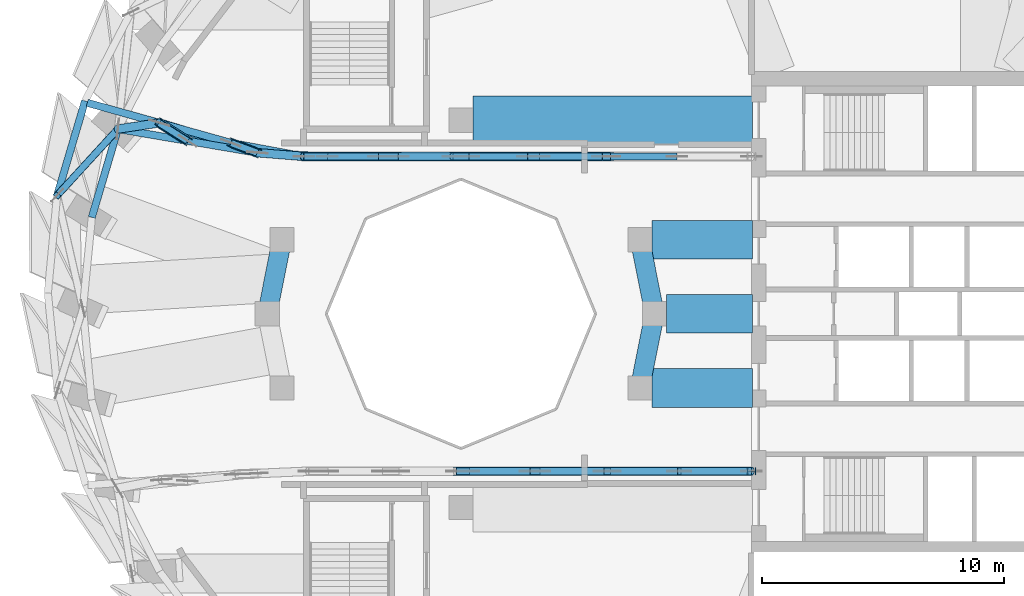
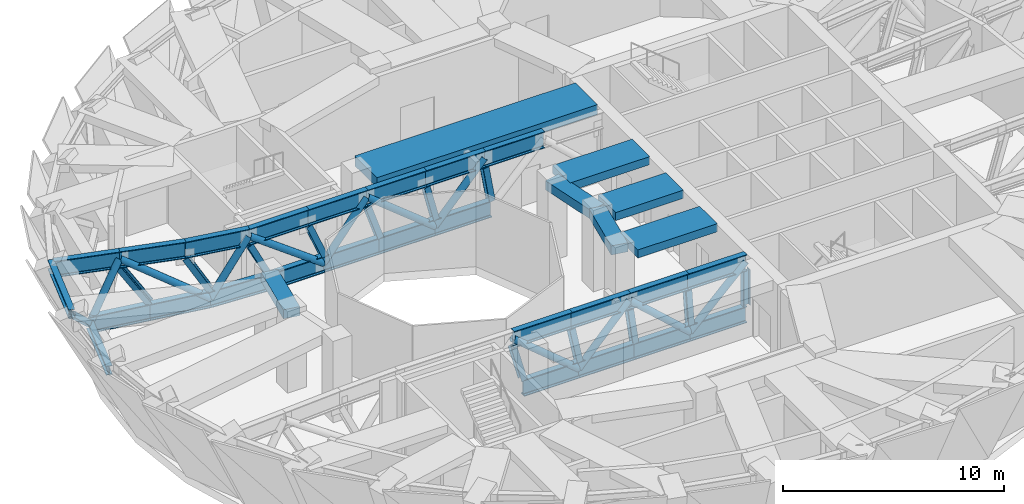
# One storey, part 3 of 16: 49 members, 7 beams.
"""IFC4 building model written with IfcOpenShell, lengths in metres."""

from ifc_helpers import new_model, si_unit, direction, frame, origin, origin_2d, place, context, subcontext, project, spatial, rectangle, hollow_rectangle, hollow_circle, i_section, extrude, material, material_profile, profile_set, type_object, element, save


model = new_model("IFC4")

# Units and contexts
model_context = context("Model", 3, precision=1e-05, world=origin(), true_north=direction((0.0, 1.0)))
body_context = subcontext(model_context, "Body", "Model", "MODEL_VIEW")
ifc_project = project(units=[si_unit("LENGTHUNIT", "METRE"), si_unit("AREAUNIT", "SQUARE_METRE"), si_unit("VOLUMEUNIT", "CUBIC_METRE"), si_unit("PLANEANGLEUNIT", "RADIAN"), si_unit("MASSUNIT", "GRAM", prefix="KILO")], contexts=[model_context])

# Site, building, storey
site_placement = place(None, origin())
site = spatial("IfcSite", under=ifc_project, at=site_placement, CompositionType="ELEMENT")
building_placement = place(site_placement, origin())
building = spatial("IfcBuilding", under=site, at=building_placement, Name="Taillehof Tower", CompositionType="ELEMENT")
storey_placement = place(building_placement, frame((0.0, 0.0, 184.699951171875)))
storey = spatial("IfcBuildingStorey", under=building, at=storey_placement, Name="L52", CompositionType="ELEMENT", Elevation=184.699951171875)

# Beams
ifc_material_1 = material(Name="Concrete C50/60", Category="concrete")
ifc_material_profile_1 = material_profile(ifc_material_1, rectangle(XDim=0.800048828125, YDim=0.5, at=origin_2d()), Name="RC 800x500")
ifc_profile_set_1 = profile_set([ifc_material_profile_1], Name="Concrete C50/60")
beam_type_1 = type_object("IfcBeamType", Name="Atrium ring beam C50/60 800x500", PredefinedType="BEAM", material=ifc_profile_set_1)
for number, where, z_axis, x_axis, name in (
    (1, (0.0, 0.0, 3.969970703125), (-0.195063155143, 0.980790683839, 0.0), (-0.980790683839, -0.195063155143, 0.0), "Atrium ring beam AB01"),
    (2, (-15.39111328125, 3.0615234375, 3.969970703125), (-0.195063155143, -0.980790683839, 0.0), (0.980790683839, -0.195063155143, 0.0), "Atrium ring beam AB04"),
    (3, (-0.60888671875, -3.0615234375, 3.969970703125), (0.195063155143, 0.980790683839, 0.0), (-0.980790683839, 0.195063155143, 0.0), "Atrium ring beam AB08"),
):
    element("IfcBeam", number, at=place(storey_placement, frame(where, z_axis=z_axis, x_axis=x_axis)), inside=storey, type_object=beam_type_1, Name=name, PredefinedType="BEAM", context=body_context, shape_type="SweptSolid", body=[
        extrude(rectangle(XDim=0.800048828125, YDim=0.5, at=origin_2d()), origin(), (0.0, 0.0, 1.0), 3.12158203125),
    ])

# Members
ifc_material_2 = material(Name="Steel S460M", Category="steel")
ifc_material_profile_2 = material_profile(ifc_material_2, i_section(OverallWidth=0.300048828125, OverallDepth=0.5, WebThickness=0.014404296875, FlangeThickness=0.028076171875, FilletRadius=0.027099609375, at=origin_2d()), Name="HEB 500")
ifc_profile_set_2 = profile_set([ifc_material_profile_2], Name="Steel S460M")
member_type_1 = type_object("IfcMemberType", Name="Belt truss chord HEB 500", PredefinedType="CHORD", material=ifc_profile_set_2)
member_1_placement = place(storey_placement, frame((-22.1669921875, 7.634033203125, 0.900146484375), z_axis=(-0.283155771957, -0.95907393292, 0.0), x_axis=(0.95907393292, -0.283155771957, 0.0)))
element("IfcMember", 4, at=member_1_placement, inside=storey, type_object=member_type_1, Name="Belt truss bottom chord BB17", PredefinedType="CHORD", context=body_context, shape_type="SweptSolid", body=[
    extrude(i_section(OverallWidth=0.300048828125, OverallDepth=0.5, WebThickness=0.014404296875, FlangeThickness=0.028076171875, FilletRadius=0.027099609375, at=origin_2d()), origin(), (0.0, 0.0, 1.0), 3.806640625),
])
member_2_placement = place(storey_placement, frame((-23.5234375, 8.794189453125, 3.969970703125), z_axis=(-0.283716927997, -0.958908079415, 0.0), x_axis=(0.958908079415, -0.283716927997, 0.0)))
element("IfcMember", 5, at=member_2_placement, inside=storey, type_object=member_type_1, Name="Belt truss top chord BT17", PredefinedType="CHORD", context=body_context, shape_type="SweptSolid", body=[
    extrude(i_section(OverallWidth=0.300048828125, OverallDepth=0.5, WebThickness=0.014404296875, FlangeThickness=0.028076171875, FilletRadius=0.027099609375, at=origin_2d()), origin(), (0.0, 0.0, 1.0), 4.07373046875),
])
ifc_material_3 = material(Name="Steel S460M", Category="steel")
ifc_material_profile_3 = material_profile(ifc_material_3, hollow_rectangle(XDim=0.300048828125, YDim=0.300048828125, WallThickness=0.012451171875, InnerFilletRadius=0.012451171875, OuterFilletRadius=0.018798828125, at=origin_2d()), Name="RHS 300x300x12.5")
ifc_profile_set_3 = profile_set([ifc_material_profile_3], Name="Steel S460M")
member_type_2 = type_object("IfcMemberType", Name="Belt truss diagonal RHS 300x300x12.5", PredefinedType="BRACE", material=ifc_profile_set_3)
member_3_placement = place(storey_placement, frame((-22.1669921875, 7.634033203125, 0.900146484375), z_axis=(-0.520715995525, -0.569194705313, 0.636295716981), x_axis=(0.737829044411, -0.674987630422, 0.0)))
element("IfcMember", 6, at=member_3_placement, inside=storey, type_object=member_type_2, Name="Belt truss diagonal BX17", PredefinedType="BRACE", context=body_context, shape_type="SweptSolid", body=[
    extrude(hollow_rectangle(XDim=0.300048828125, YDim=0.300048828125, WallThickness=0.012451171875, InnerFilletRadius=0.012451171875, OuterFilletRadius=0.018798828125, at=origin_2d()), origin(), (0.0, 0.0, 1.0), 4.824462890625),
])
ifc_material_4 = material(Name="Steel S460M", Category="steel")
ifc_material_profile_4 = material_profile(ifc_material_4, i_section(OverallWidth=0.302001953125, OverallDepth=0.909912109375, WebThickness=0.02099609375, FlangeThickness=0.0400390625, FilletRadius=0.030029296875, at=origin_2d()), Name="HEM 900")
ifc_profile_set_4 = profile_set([ifc_material_profile_4], Name="Steel S460M")
member_type_3 = type_object("IfcMemberType", Name="Outrigger chord HEM 900", PredefinedType="CHORD", material=ifc_profile_set_4)
member_4_placement = place(storey_placement, frame((0.918212890625, 6.5, 3.76513671875), z_axis=(-1.0, 0.0, 0.0), x_axis=(0.0, -1.0, 0.0)))
element("IfcMember", 7, at=member_4_placement, inside=storey, type_object=member_type_3, Name="Outrigger OT5 top chord 02", PredefinedType="CHORD", context=body_context, shape_type="SweptSolid", body=[
    extrude(i_section(OverallWidth=0.302001953125, OverallDepth=0.909912109375, WebThickness=0.02099609375, FlangeThickness=0.0400390625, FilletRadius=0.030029296875, at=origin_2d()), origin(), (0.0, 0.0, 1.0), 3.08203125),
])
member_5_placement = place(storey_placement, frame((-1.836181640625, 6.5, 0.900146484375), z_axis=(-1.0, 0.0, 0.0), x_axis=(0.0, -1.0, 0.0)))
element("IfcMember", 8, at=member_5_placement, inside=storey, type_object=member_type_3, Name="Outrigger OT5 bottom chord 03", PredefinedType="CHORD", context=body_context, shape_type="SweptSolid", body=[
    extrude(i_section(OverallWidth=0.302001953125, OverallDepth=0.909912109375, WebThickness=0.02099609375, FlangeThickness=0.0400390625, FilletRadius=0.030029296875, at=origin_2d()), origin(), (0.0, 0.0, 1.0), 2.91796875),
])
member_6_placement = place(storey_placement, frame((-2.163818359375, 6.5, 3.76513671875), z_axis=(-1.0, 0.0, 0.0), x_axis=(0.0, -1.0, 0.0)))
element("IfcMember", 9, at=member_6_placement, inside=storey, type_object=member_type_3, Name="Outrigger OT5 top chord 03", PredefinedType="CHORD", context=body_context, shape_type="SweptSolid", body=[
    extrude(i_section(OverallWidth=0.302001953125, OverallDepth=0.909912109375, WebThickness=0.02099609375, FlangeThickness=0.0400390625, FilletRadius=0.030029296875, at=origin_2d()), origin(), (0.0, 0.0, 1.0), 3.081787109375),
])
member_7_placement = place(storey_placement, frame((-4.754150390625, 6.5, 0.900146484375), z_axis=(-1.0, 0.0, 0.0), x_axis=(0.0, -1.0, 0.0)))
element("IfcMember", 10, at=member_7_placement, inside=storey, type_object=member_type_3, Name="Outrigger OT5 bottom chord 04", PredefinedType="CHORD", context=body_context, shape_type="SweptSolid", body=[
    extrude(i_section(OverallWidth=0.302001953125, OverallDepth=0.909912109375, WebThickness=0.02099609375, FlangeThickness=0.0400390625, FilletRadius=0.030029296875, at=origin_2d()), origin(), (0.0, 0.0, 1.0), 2.918212890625),
])
member_8_placement = place(storey_placement, frame((-5.24560546875, 6.5, 3.76513671875), z_axis=(-1.0, 0.0, 0.0), x_axis=(0.0, -1.0, 0.0)))
element("IfcMember", 11, at=member_8_placement, inside=storey, type_object=member_type_3, Name="Outrigger OT5 top chord 04", PredefinedType="CHORD", context=body_context, shape_type="SweptSolid", body=[
    extrude(i_section(OverallWidth=0.302001953125, OverallDepth=0.909912109375, WebThickness=0.02099609375, FlangeThickness=0.0400390625, FilletRadius=0.030029296875, at=origin_2d()), origin(), (0.0, 0.0, 1.0), 3.081787109375),
])
member_9_placement = place(storey_placement, frame((-7.67236328125, 6.5, 0.900146484375), z_axis=(-1.0, 0.0, 0.0), x_axis=(0.0, -1.0, 0.0)))
element("IfcMember", 12, at=member_9_placement, inside=storey, type_object=member_type_3, Name="Outrigger OT5 bottom chord 05", PredefinedType="CHORD", context=body_context, shape_type="SweptSolid", body=[
    extrude(i_section(OverallWidth=0.302001953125, OverallDepth=0.909912109375, WebThickness=0.02099609375, FlangeThickness=0.0400390625, FilletRadius=0.030029296875, at=origin_2d()), origin(), (0.0, 0.0, 1.0), 2.91796875),
])
member_10_placement = place(storey_placement, frame((-8.327392578125, 6.5, 3.76513671875), z_axis=(-1.0, 0.0, 0.0), x_axis=(0.0, -1.0, 0.0)))
element("IfcMember", 13, at=member_10_placement, inside=storey, type_object=member_type_3, Name="Outrigger OT5 top chord 05", PredefinedType="CHORD", context=body_context, shape_type="SweptSolid", body=[
    extrude(i_section(OverallWidth=0.302001953125, OverallDepth=0.909912109375, WebThickness=0.02099609375, FlangeThickness=0.0400390625, FilletRadius=0.030029296875, at=origin_2d()), origin(), (0.0, 0.0, 1.0), 3.081787109375),
])
member_11_placement = place(storey_placement, frame((-10.59033203125, 6.5, 0.900146484375), z_axis=(-1.0, 0.0, 0.0), x_axis=(0.0, -1.0, 0.0)))
element("IfcMember", 14, at=member_11_placement, inside=storey, type_object=member_type_3, Name="Outrigger OT5 bottom chord 06", PredefinedType="CHORD", context=body_context, shape_type="SweptSolid", body=[
    extrude(i_section(OverallWidth=0.302001953125, OverallDepth=0.909912109375, WebThickness=0.02099609375, FlangeThickness=0.0400390625, FilletRadius=0.030029296875, at=origin_2d()), origin(), (0.0, 0.0, 1.0), 2.918212890625),
])
member_12_placement = place(storey_placement, frame((-11.4091796875, 6.5, 3.76513671875), z_axis=(-1.0, 0.0, 0.0), x_axis=(0.0, -1.0, 0.0)))
element("IfcMember", 15, at=member_12_placement, inside=storey, type_object=member_type_3, Name="Outrigger OT5 top chord 06", PredefinedType="CHORD", context=body_context, shape_type="SweptSolid", body=[
    extrude(i_section(OverallWidth=0.302001953125, OverallDepth=0.909912109375, WebThickness=0.02099609375, FlangeThickness=0.0400390625, FilletRadius=0.030029296875, at=origin_2d()), origin(), (0.0, 0.0, 1.0), 3.08203125),
])
member_13_placement = place(storey_placement, frame((-13.508544921875, 6.5, 0.900146484375), z_axis=(-0.998574370024, 0.053378155937, 0.0), x_axis=(-0.053378155937, -0.998574370024, 0.0)))
element("IfcMember", 16, at=member_13_placement, inside=storey, type_object=member_type_3, Name="Outrigger OT5 bottom chord 07", PredefinedType="CHORD", context=body_context, shape_type="SweptSolid", body=[
    extrude(i_section(OverallWidth=0.302001953125, OverallDepth=0.909912109375, WebThickness=0.02099609375, FlangeThickness=0.0400390625, FilletRadius=0.030029296875, at=origin_2d()), origin(), (0.0, 0.0, 1.0), 2.908935546875),
])
member_14_placement = place(storey_placement, frame((-14.4912109375, 6.5, 3.76513671875), z_axis=(-0.983205119029, 0.182503955888, 0.0), x_axis=(-0.182503955888, -0.983205119029, 0.0)))
element("IfcMember", 17, at=member_14_placement, inside=storey, type_object=member_type_3, Name="Outrigger OT5 top chord 07", PredefinedType="CHORD", context=body_context, shape_type="SweptSolid", body=[
    extrude(i_section(OverallWidth=0.302001953125, OverallDepth=0.909912109375, WebThickness=0.02099609375, FlangeThickness=0.0400390625, FilletRadius=0.030029296875, at=origin_2d()), origin(), (0.0, 0.0, 1.0), 3.056640625),
])
member_15_placement = place(storey_placement, frame((-16.413330078125, 6.6552734375, 0.900146484375), z_axis=(-0.985829708049, 0.167749178022, 0.0), x_axis=(-0.167749178022, -0.985829708049, 0.0)))
element("IfcMember", 18, at=member_15_placement, inside=storey, type_object=member_type_3, Name="Outrigger OT5 bottom chord 08", PredefinedType="CHORD", context=body_context, shape_type="SweptSolid", body=[
    extrude(i_section(OverallWidth=0.302001953125, OverallDepth=0.909912109375, WebThickness=0.02099609375, FlangeThickness=0.0400390625, FilletRadius=0.030029296875, at=origin_2d()), origin(), (0.0, 0.0, 1.0), 2.91796875),
])
member_16_placement = place(storey_placement, frame((-17.49658203125, 7.057861328125, 3.76513671875), z_axis=(-0.963107048536, 0.269118585496, 0.0), x_axis=(-0.269118585496, -0.963107048536, 0.0)))
element("IfcMember", 19, at=member_16_placement, inside=storey, type_object=member_type_3, Name="Outrigger OT5 top chord 08", PredefinedType="CHORD", context=body_context, shape_type="SweptSolid", body=[
    extrude(i_section(OverallWidth=0.302001953125, OverallDepth=0.909912109375, WebThickness=0.02099609375, FlangeThickness=0.0400390625, FilletRadius=0.030029296875, at=origin_2d()), origin(), (0.0, 0.0, 1.0), 3.081787109375),
])
member_17_placement = place(storey_placement, frame((-19.2900390625, 7.144775390625, 0.900146484375), z_axis=(-0.985845892607, 0.167654036726, 0.0), x_axis=(-0.167654036726, -0.985845892607, 0.0)))
element("IfcMember", 20, at=member_17_placement, inside=storey, type_object=member_type_3, Name="Outrigger OT5 bottom chord 09", PredefinedType="CHORD", context=body_context, shape_type="SweptSolid", body=[
    extrude(i_section(OverallWidth=0.302001953125, OverallDepth=0.909912109375, WebThickness=0.02099609375, FlangeThickness=0.0400390625, FilletRadius=0.030029296875, at=origin_2d()), origin(), (0.0, 0.0, 1.0), 2.918212890625),
])
member_18_placement = place(storey_placement, frame((-20.464599609375, 7.88720703125, 3.76513671875), z_axis=(-0.963112785549, 0.26909805334, 0.0), x_axis=(-0.26909805334, -0.963112785549, 0.0)))
element("IfcMember", 21, at=member_18_placement, inside=storey, type_object=member_type_3, Name="Outrigger OT5 top chord 09", PredefinedType="CHORD", context=body_context, shape_type="SweptSolid", body=[
    extrude(i_section(OverallWidth=0.302001953125, OverallDepth=0.909912109375, WebThickness=0.02099609375, FlangeThickness=0.0400390625, FilletRadius=0.030029296875, at=origin_2d()), origin(), (0.0, 0.0, 1.0), 3.08203125),
])
member_19_placement = place(storey_placement, frame((4.0, -6.5, 0.900146484375), z_axis=(-1.0, 0.0, 0.0), x_axis=(0.0, -1.0, 0.0)))
element("IfcMember", 22, at=member_19_placement, inside=storey, type_object=member_type_3, Name="Outrigger OT6 bottom chord 01", PredefinedType="CHORD", context=body_context, shape_type="SweptSolid", body=[
    extrude(i_section(OverallWidth=0.302001953125, OverallDepth=0.909912109375, WebThickness=0.02099609375, FlangeThickness=0.0400390625, FilletRadius=0.030029296875, at=origin_2d()), origin(), (0.0, 0.0, 1.0), 2.914306640625),
])
member_20_placement = place(storey_placement, frame((4.0, -6.5, 3.76513671875), z_axis=(-1.0, 0.0, 0.0), x_axis=(0.0, -1.0, 0.0)))
element("IfcMember", 23, at=member_20_placement, inside=storey, type_object=member_type_3, Name="Outrigger OT6 top chord 01", PredefinedType="CHORD", context=body_context, shape_type="SweptSolid", body=[
    extrude(i_section(OverallWidth=0.302001953125, OverallDepth=0.909912109375, WebThickness=0.02099609375, FlangeThickness=0.0400390625, FilletRadius=0.030029296875, at=origin_2d()), origin(), (0.0, 0.0, 1.0), 3.047119140625),
])
member_21_placement = place(storey_placement, frame((1.085693359375, -6.5, 0.900146484375), z_axis=(-1.0, 0.0, 0.0), x_axis=(0.0, -1.0, 0.0)))
element("IfcMember", 24, at=member_21_placement, inside=storey, type_object=member_type_3, Name="Outrigger OT6 bottom chord 02", PredefinedType="CHORD", context=body_context, shape_type="SweptSolid", body=[
    extrude(i_section(OverallWidth=0.302001953125, OverallDepth=0.909912109375, WebThickness=0.02099609375, FlangeThickness=0.0400390625, FilletRadius=0.030029296875, at=origin_2d()), origin(), (0.0, 0.0, 1.0), 2.91455078125),
])
member_22_placement = place(storey_placement, frame((0.952880859375, -6.5, 3.76513671875), z_axis=(-1.0, 0.0, 0.0), x_axis=(0.0, -1.0, 0.0)))
element("IfcMember", 25, at=member_22_placement, inside=storey, type_object=member_type_3, Name="Outrigger OT6 top chord 02", PredefinedType="CHORD", context=body_context, shape_type="SweptSolid", body=[
    extrude(i_section(OverallWidth=0.302001953125, OverallDepth=0.909912109375, WebThickness=0.02099609375, FlangeThickness=0.0400390625, FilletRadius=0.030029296875, at=origin_2d()), origin(), (0.0, 0.0, 1.0), 3.04736328125),
])
member_23_placement = place(storey_placement, frame((-1.828857421875, -6.5, 0.900146484375), z_axis=(-1.0, 0.0, 0.0), x_axis=(0.0, -1.0, 0.0)))
element("IfcMember", 26, at=member_23_placement, inside=storey, type_object=member_type_3, Name="Outrigger OT6 bottom chord 03", PredefinedType="CHORD", context=body_context, shape_type="SweptSolid", body=[
    extrude(i_section(OverallWidth=0.302001953125, OverallDepth=0.909912109375, WebThickness=0.02099609375, FlangeThickness=0.0400390625, FilletRadius=0.030029296875, at=origin_2d()), origin(), (0.0, 0.0, 1.0), 2.914306640625),
])
member_24_placement = place(storey_placement, frame((-2.094482421875, -6.5, 3.76513671875), z_axis=(-1.0, 0.0, 0.0), x_axis=(0.0, -1.0, 0.0)))
element("IfcMember", 27, at=member_24_placement, inside=storey, type_object=member_type_3, Name="Outrigger OT6 top chord 03", PredefinedType="CHORD", context=body_context, shape_type="SweptSolid", body=[
    extrude(i_section(OverallWidth=0.302001953125, OverallDepth=0.909912109375, WebThickness=0.02099609375, FlangeThickness=0.0400390625, FilletRadius=0.030029296875, at=origin_2d()), origin(), (0.0, 0.0, 1.0), 3.047119140625),
])
member_25_placement = place(storey_placement, frame((-4.7431640625, -6.5, 0.900146484375), z_axis=(-1.0, 0.0, 0.0), x_axis=(0.0, -1.0, 0.0)))
element("IfcMember", 28, at=member_25_placement, inside=storey, type_object=member_type_3, Name="Outrigger OT6 bottom chord 04", PredefinedType="CHORD", context=body_context, shape_type="SweptSolid", body=[
    extrude(i_section(OverallWidth=0.302001953125, OverallDepth=0.909912109375, WebThickness=0.02099609375, FlangeThickness=0.0400390625, FilletRadius=0.030029296875, at=origin_2d()), origin(), (0.0, 0.0, 1.0), 2.91455078125),
])
member_26_placement = place(storey_placement, frame((-5.1416015625, -6.5, 3.76513671875), z_axis=(-1.0, 0.0, 0.0), x_axis=(0.0, -1.0, 0.0)))
element("IfcMember", 29, at=member_26_placement, inside=storey, type_object=member_type_3, Name="Outrigger OT6 top chord 04", PredefinedType="CHORD", context=body_context, shape_type="SweptSolid", body=[
    extrude(i_section(OverallWidth=0.302001953125, OverallDepth=0.909912109375, WebThickness=0.02099609375, FlangeThickness=0.0400390625, FilletRadius=0.030029296875, at=origin_2d()), origin(), (0.0, 0.0, 1.0), 3.04736328125),
])
ifc_material_5 = material(Name="Steel S460M", Category="steel")
ifc_material_profile_5 = material_profile(ifc_material_5, hollow_circle(Radius=0.177734375, WallThickness=0.01611328125, at=origin_2d()), Name="CHS 355.6x16")
ifc_profile_set_5 = profile_set([ifc_material_profile_5], Name="Steel S460M")
member_type_4 = type_object("IfcMemberType", Name="Outrigger diagonal CHS 355.6x16", PredefinedType="BRACE", material=ifc_profile_set_5)
member_27_placement = place(storey_placement, frame((-2.163818359375, 6.5, 3.76513671875), z_axis=(-0.670656740012, 0.0, -0.741767845809), x_axis=(0.0, -1.0, 0.0)))
element("IfcMember", 30, at=member_27_placement, inside=storey, type_object=member_type_4, Name="Outrigger OT5 diagonal 03", PredefinedType="BRACE", context=body_context, shape_type="SweptSolid", body=[
    extrude(hollow_circle(Radius=0.177734375, WallThickness=0.01611328125, at=origin_2d()), origin(), (0.0, 0.0, 1.0), 3.8623046875),
])
member_28_placement = place(storey_placement, frame((-4.754150390625, 6.5, 0.900146484375), z_axis=(-0.780187068, 0.0, 0.625546272409), x_axis=(0.0, -1.0, 0.0)))
element("IfcMember", 31, at=member_28_placement, inside=storey, type_object=member_type_4, Name="Outrigger OT5 diagonal 04", PredefinedType="BRACE", context=body_context, shape_type="SweptSolid", body=[
    extrude(hollow_circle(Radius=0.177734375, WallThickness=0.01611328125, at=origin_2d()), origin(), (0.0, 0.0, 1.0), 4.580078125),
])
member_29_placement = place(storey_placement, frame((-8.327392578125, 6.5, 3.76513671875), z_axis=(-0.619830734949, 0.0, -0.784735535077), x_axis=(0.0, -1.0, 0.0)))
element("IfcMember", 32, at=member_29_placement, inside=storey, type_object=member_type_4, Name="Outrigger OT5 diagonal 05", PredefinedType="BRACE", context=body_context, shape_type="SweptSolid", body=[
    extrude(hollow_circle(Radius=0.177734375, WallThickness=0.01611328125, at=origin_2d()), origin(), (0.0, 0.0, 1.0), 3.65087890625),
])
member_30_placement = place(storey_placement, frame((-10.59033203125, 6.5, 0.900146484375), z_axis=(-0.805976603006, 0.0, 0.591947392432), x_axis=(0.0, -1.0, 0.0)))
element("IfcMember", 33, at=member_30_placement, inside=storey, type_object=member_type_4, Name="Outrigger OT5 diagonal 06", PredefinedType="BRACE", context=body_context, shape_type="SweptSolid", body=[
    extrude(hollow_circle(Radius=0.177734375, WallThickness=0.01611328125, at=origin_2d()), origin(), (0.0, 0.0, 1.0), 4.83984375),
])
member_31_placement = place(storey_placement, frame((-14.4912109375, 6.5, 3.76513671875), z_axis=(-0.55656764404, 0.044960881698, -0.829584821899), x_axis=(-0.080520119091, -0.996752983653, 0.0)))
element("IfcMember", 34, at=member_31_placement, inside=storey, type_object=member_type_4, Name="Outrigger OT5 diagonal 07", PredefinedType="BRACE", context=body_context, shape_type="SweptSolid", body=[
    extrude(hollow_circle(Radius=0.177734375, WallThickness=0.01611328125, at=origin_2d()), origin(), (0.0, 0.0, 1.0), 3.45361328125),
])
member_32_placement = place(storey_placement, frame((-16.413330078125, 6.6552734375, 0.900146484375), z_axis=(-0.792409836774, 0.240960590356, 0.560379018593), x_axis=(-0.290932180417, -0.956743678525, 0.0)))
element("IfcMember", 35, at=member_32_placement, inside=storey, type_object=member_type_4, Name="Outrigger OT5 diagonal 08", PredefinedType="BRACE", context=body_context, shape_type="SweptSolid", body=[
    extrude(hollow_circle(Radius=0.177734375, WallThickness=0.01611328125, at=origin_2d()), origin(), (0.0, 0.0, 1.0), 5.112548828125),
])
member_33_placement = place(storey_placement, frame((-20.464599609375, 7.88720703125, 3.76513671875), z_axis=(-0.509360458726, -0.075750293374, -0.857212818465), x_axis=(0.14709871277, -0.989121816917, 0.0)))
element("IfcMember", 36, at=member_33_placement, inside=storey, type_object=member_type_4, Name="Outrigger OT5 diagonal 09", PredefinedType="BRACE", context=body_context, shape_type="SweptSolid", body=[
    extrude(hollow_circle(Radius=0.177734375, WallThickness=0.01611328125, at=origin_2d()), origin(), (0.0, 0.0, 1.0), 3.34228515625),
])
member_34_placement = place(storey_placement, frame((4.0, -6.5, 3.76513671875), z_axis=(-0.713114764221, 0.0, -0.701047311563), x_axis=(0.0, -1.0, 0.0)))
element("IfcMember", 37, at=member_34_placement, inside=storey, type_object=member_type_4, Name="Outrigger OT6 diagonal 01", PredefinedType="BRACE", context=body_context, shape_type="SweptSolid", body=[
    extrude(hollow_circle(Radius=0.177734375, WallThickness=0.01611328125, at=origin_2d()), origin(), (0.0, 0.0, 1.0), 4.086669921875),
])
member_35_placement = place(storey_placement, frame((1.085693359375, -6.5, 0.900146484375), z_axis=(-0.742965068978, 0.0, 0.669330192266), x_axis=(0.0, -1.0, 0.0)))
element("IfcMember", 38, at=member_35_placement, inside=storey, type_object=member_type_4, Name="Outrigger OT6 diagonal 02", PredefinedType="BRACE", context=body_context, shape_type="SweptSolid", body=[
    extrude(hollow_circle(Radius=0.177734375, WallThickness=0.01611328125, at=origin_2d()), origin(), (0.0, 0.0, 1.0), 4.2802734375),
])
member_36_placement = place(storey_placement, frame((-2.094482421875, -6.5, 3.76513671875), z_axis=(-0.678843850798, 0.0, -0.734282660993), x_axis=(0.0, -1.0, 0.0)))
element("IfcMember", 39, at=member_36_placement, inside=storey, type_object=member_type_4, Name="Outrigger OT6 diagonal 03", PredefinedType="BRACE", context=body_context, shape_type="SweptSolid", body=[
    extrude(hollow_circle(Radius=0.177734375, WallThickness=0.01611328125, at=origin_2d()), origin(), (0.0, 0.0, 1.0), 3.90185546875),
])
member_37_placement = place(storey_placement, frame((-4.7431640625, -6.5, 0.900146484375), z_axis=(-0.768935297193, 0.0, 0.63932660568), x_axis=(0.0, -1.0, 0.0)))
element("IfcMember", 40, at=member_37_placement, inside=storey, type_object=member_type_4, Name="Outrigger OT6 diagonal 04", PredefinedType="BRACE", context=body_context, shape_type="SweptSolid", body=[
    extrude(hollow_circle(Radius=0.177734375, WallThickness=0.01611328125, at=origin_2d()), origin(), (0.0, 0.0, 1.0), 4.481201171875),
])
ifc_material_6 = material(Name="Steel S460M", Category="steel")
ifc_material_profile_6 = material_profile(ifc_material_6, i_section(OverallWidth=0.300048828125, OverallDepth=0.360107421875, WebThickness=0.012451171875, FlangeThickness=0.0224609375, FilletRadius=0.027099609375, at=origin_2d()), Name="HEB 360")
ifc_profile_set_6 = profile_set([ifc_material_profile_6], Name="Steel S460M")
member_type_5 = type_object("IfcMemberType", Name="Outrigger post HEB 360", PredefinedType="POST", material=ifc_profile_set_6)
member_38_placement = place(storey_placement, frame((-1.836181640625, 6.5, 1.35498046875), z_axis=(-0.16527766909, 0.0, 0.986247074571), x_axis=(0.986247074571, 0.0, 0.16527766909)))
element("IfcMember", 41, at=member_38_placement, inside=storey, type_object=member_type_5, Name="Outrigger OT5 post 03", PredefinedType="POST", context=body_context, shape_type="SweptSolid", body=[
    extrude(i_section(OverallWidth=0.300048828125, OverallDepth=0.360107421875, WebThickness=0.012451171875, FlangeThickness=0.0224609375, FilletRadius=0.027099609375, at=origin_2d()), origin(), (0.0, 0.0, 1.0), 1.982421875),
])
member_39_placement = place(storey_placement, frame((-4.754150390625, 6.5, 1.35498046875), z_axis=(-0.243789240497, 0.0, 0.96982823542), x_axis=(0.96982823542, 0.0, 0.243789240497)))
element("IfcMember", 42, at=member_39_placement, inside=storey, type_object=member_type_5, Name="Outrigger OT5 post 04", PredefinedType="POST", context=body_context, shape_type="SweptSolid", body=[
    extrude(i_section(OverallWidth=0.300048828125, OverallDepth=0.360107421875, WebThickness=0.012451171875, FlangeThickness=0.0224609375, FilletRadius=0.027099609375, at=origin_2d()), origin(), (0.0, 0.0, 1.0), 2.015869140625),
])
member_40_placement = place(storey_placement, frame((-7.67236328125, 6.5, 1.35498046875), z_axis=(-0.317683789432, 0.0, 0.948196714787), x_axis=(0.948196714787, 0.0, 0.317683789432)))
element("IfcMember", 43, at=member_40_placement, inside=storey, type_object=member_type_5, Name="Outrigger OT5 post 05", PredefinedType="POST", context=body_context, shape_type="SweptSolid", body=[
    extrude(i_section(OverallWidth=0.300048828125, OverallDepth=0.360107421875, WebThickness=0.012451171875, FlangeThickness=0.0224609375, FilletRadius=0.027099609375, at=origin_2d()), origin(), (0.0, 0.0, 1.0), 2.06201171875),
])
member_41_placement = place(storey_placement, frame((-10.59033203125, 6.5, 1.35498046875), z_axis=(-0.386315860918, 0.0, 0.92236655165), x_axis=(0.92236655165, 0.0, 0.386315860918)))
element("IfcMember", 44, at=member_41_placement, inside=storey, type_object=member_type_5, Name="Outrigger OT5 post 06", PredefinedType="POST", context=body_context, shape_type="SweptSolid", body=[
    extrude(i_section(OverallWidth=0.300048828125, OverallDepth=0.360107421875, WebThickness=0.012451171875, FlangeThickness=0.0224609375, FilletRadius=0.027099609375, at=origin_2d()), origin(), (0.0, 0.0, 1.0), 2.11962890625),
])
member_42_placement = place(storey_placement, frame((-13.508544921875, 6.5, 1.35498046875), z_axis=(-0.449087063781, 0.0, 0.893488001679), x_axis=(0.893170164615, -0.026670691751, 0.44892731176)))
element("IfcMember", 45, at=member_42_placement, inside=storey, type_object=member_type_5, Name="Outrigger OT5 post 07", PredefinedType="POST", context=body_context, shape_type="SweptSolid", body=[
    extrude(i_section(OverallWidth=0.300048828125, OverallDepth=0.360107421875, WebThickness=0.012451171875, FlangeThickness=0.0224609375, FilletRadius=0.027099609375, at=origin_2d()), origin(), (0.0, 0.0, 1.0), 2.188232421875),
])
member_43_placement = place(storey_placement, frame((-16.413330078125, 6.6552734375, 1.35498046875), z_axis=(-0.476974819013, 0.177266503618, 0.860855161292), x_axis=(0.763355584101, -0.401919759838, 0.505716085243)))
element("IfcMember", 46, at=member_43_placement, inside=storey, type_object=member_type_5, Name="Outrigger OT5 post 08", PredefinedType="POST", context=body_context, shape_type="SweptSolid", body=[
    extrude(i_section(OverallWidth=0.300048828125, OverallDepth=0.360107421875, WebThickness=0.012451171875, FlangeThickness=0.0224609375, FilletRadius=0.027099609375, at=origin_2d()), origin(), (0.0, 0.0, 1.0), 2.27099609375),
])
member_44_placement = place(storey_placement, frame((-19.2900390625, 7.144775390625, 1.35498046875), z_axis=(-0.489692443199, 0.309531224229, 0.815102283337), x_axis=(0.589650694347, -0.571086939586, 0.571114494729)))
element("IfcMember", 47, at=member_44_placement, inside=storey, type_object=member_type_5, Name="Outrigger OT5 post 09", PredefinedType="POST", context=body_context, shape_type="SweptSolid", body=[
    extrude(i_section(OverallWidth=0.300048828125, OverallDepth=0.360107421875, WebThickness=0.012451171875, FlangeThickness=0.0224609375, FilletRadius=0.027099609375, at=origin_2d()), origin(), (0.0, 0.0, 1.0), 2.398681640625),
])
member_45_placement = place(storey_placement, frame((4.0, -6.5, 1.35498046875), z_axis=(0.0, 0.0, 1.0), x_axis=(0.0, 1.0, 0.0)))
element("IfcMember", 48, at=member_45_placement, inside=storey, type_object=member_type_5, Name="Outrigger OT6 post 01", PredefinedType="POST", context=body_context, shape_type="SweptSolid", body=[
    extrude(i_section(OverallWidth=0.300048828125, OverallDepth=0.360107421875, WebThickness=0.012451171875, FlangeThickness=0.0224609375, FilletRadius=0.027099609375, at=origin_2d()), origin(), (0.0, 0.0, 1.0), 1.955078125),
])
member_46_placement = place(storey_placement, frame((1.085693359375, -6.5, 1.35498046875), z_axis=(-0.067775863068, 0.0, 0.997700572509), x_axis=(0.997700572509, 0.0, 0.067775863068)))
element("IfcMember", 49, at=member_46_placement, inside=storey, type_object=member_type_5, Name="Outrigger OT6 post 02", PredefinedType="POST", context=body_context, shape_type="SweptSolid", body=[
    extrude(i_section(OverallWidth=0.300048828125, OverallDepth=0.360107421875, WebThickness=0.012451171875, FlangeThickness=0.0224609375, FilletRadius=0.027099609375, at=origin_2d()), origin(), (0.0, 0.0, 1.0), 1.95947265625),
])
member_47_placement = place(storey_placement, frame((-1.828857421875, -6.5, 1.35498046875), z_axis=(-0.13462727094, 0.0, 0.990896310377), x_axis=(0.990896310377, 0.0, 0.13462727094)))
element("IfcMember", 50, at=member_47_placement, inside=storey, type_object=member_type_5, Name="Outrigger OT6 post 03", PredefinedType="POST", context=body_context, shape_type="SweptSolid", body=[
    extrude(i_section(OverallWidth=0.300048828125, OverallDepth=0.360107421875, WebThickness=0.012451171875, FlangeThickness=0.0224609375, FilletRadius=0.027099609375, at=origin_2d()), origin(), (0.0, 0.0, 1.0), 1.97314453125),
])
member_48_placement = place(storey_placement, frame((-4.7431640625, -6.5, 1.35498046875), z_axis=(-0.199691507232, 0.0, 0.97985881735), x_axis=(0.97985881735, 0.0, 0.199691507232)))
element("IfcMember", 51, at=member_48_placement, inside=storey, type_object=member_type_5, Name="Outrigger OT6 post 04", PredefinedType="POST", context=body_context, shape_type="SweptSolid", body=[
    extrude(i_section(OverallWidth=0.300048828125, OverallDepth=0.360107421875, WebThickness=0.012451171875, FlangeThickness=0.0224609375, FilletRadius=0.027099609375, at=origin_2d()), origin(), (0.0, 0.0, 1.0), 1.995361328125),
])
member_49_placement = place(storey_placement, frame((-7.65771484375, -6.5, 1.35498046875), z_axis=(-0.262219989423, 0.0, 0.96500812284), x_axis=(0.96500812284, 0.0, 0.262219989423)))
element("IfcMember", 52, at=member_49_placement, inside=storey, type_object=member_type_5, Name="Outrigger OT6 post 05", PredefinedType="POST", context=body_context, shape_type="SweptSolid", body=[
    extrude(i_section(OverallWidth=0.300048828125, OverallDepth=0.360107421875, WebThickness=0.012451171875, FlangeThickness=0.0224609375, FilletRadius=0.027099609375, at=origin_2d()), origin(), (0.0, 0.0, 1.0), 2.02587890625),
])

# Beams
ifc_material_7 = material(Name="Concrete C50/60", Category="concrete")
ifc_material_profile_7 = material_profile(ifc_material_7, rectangle(XDim=1.60009765625, YDim=0.449951171875, at=origin_2d()), Name="RC 1600x450")
ifc_profile_set_7 = profile_set([ifc_material_profile_7], Name="Concrete C50/60")
beam_type_2 = type_object("IfcBeamType", Name="Radial band beam C50/60 1600x450", PredefinedType="BEAM", material=ifc_profile_set_7)
beam_1_placement = place(storey_placement, frame((0.5, 0.0, 3.9951171875), z_axis=(1.0, 0.0, 0.0), x_axis=(0.0, 1.0, 0.0)))
element("IfcBeam", 53, at=beam_1_placement, inside=storey, type_object=beam_type_2, Name="Inner band beam IB101", PredefinedType="BEAM", context=body_context, shape_type="SweptSolid", body=[
    extrude(rectangle(XDim=1.60009765625, YDim=0.449951171875, at=origin_2d()), origin(), (0.0, 0.0, 1.0), 3.550048828125),
])
for number, where, z_axis, x_axis, name in (
    (54, (-0.10888671875, 3.0615234375, 3.9951171875), (1.0, 0.0, 0.0), (0.0, 1.0, 0.0), "Inner band beam IB102"),
    (55, (-0.10888671875, -3.0615234375, 3.9951171875), (1.0, 0.0, 0.0), (0.0, 1.0, 0.0), "Inner band beam IB116"),
):
    element("IfcBeam", number, at=place(storey_placement, frame(where, z_axis=z_axis, x_axis=x_axis)), inside=storey, type_object=beam_type_2, Name=name, PredefinedType="BEAM", context=body_context, shape_type="SweptSolid", body=[
        extrude(rectangle(XDim=1.60009765625, YDim=0.449951171875, at=origin_2d()), origin(), (0.0, 0.0, 1.0), 4.158935546875),
    ])
ifc_material_8 = material(Name="Concrete C50/60", Category="concrete")
ifc_material_profile_8 = material_profile(ifc_material_8, rectangle(XDim=2.0, YDim=0.550048828125, at=origin_2d()), Name="RC 2000x550")
ifc_profile_set_8 = profile_set([ifc_material_profile_8], Name="Concrete C50/60")
beam_type_3 = type_object("IfcBeamType", Name="Radial band beam C50/60 2000x550", PredefinedType="BEAM", material=ifc_profile_set_8)
beam_2_placement = place(storey_placement, frame((-7.5, 8.0, 3.945068359375), z_axis=(1.0, 0.0, 0.0), x_axis=(0.0, 1.0, 0.0)))
element("IfcBeam", 56, at=beam_2_placement, inside=storey, type_object=beam_type_3, Name="Inner band beam IB105", PredefinedType="BEAM", context=body_context, shape_type="SweptSolid", body=[
    extrude(rectangle(XDim=2.0, YDim=0.550048828125, at=origin_2d()), origin(), (0.0, 0.0, 1.0), 11.550048828125),
])

save(model, "model.ifc")
